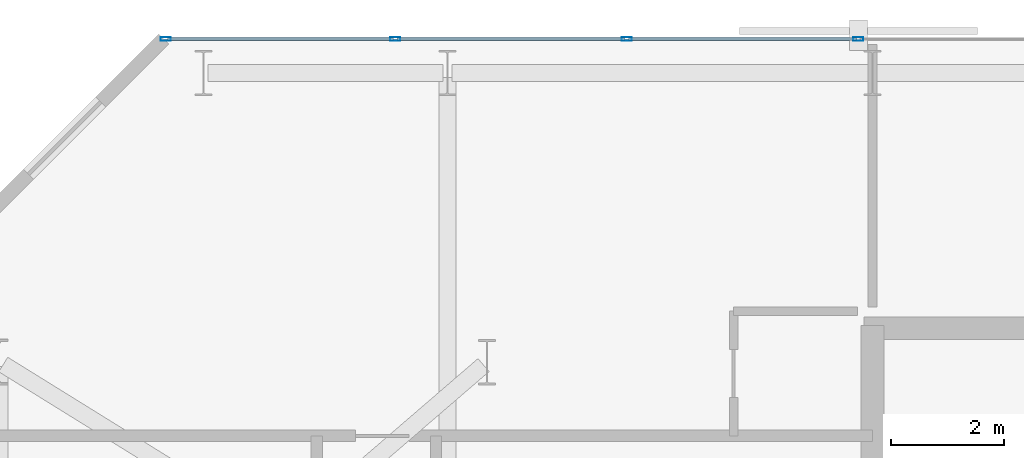
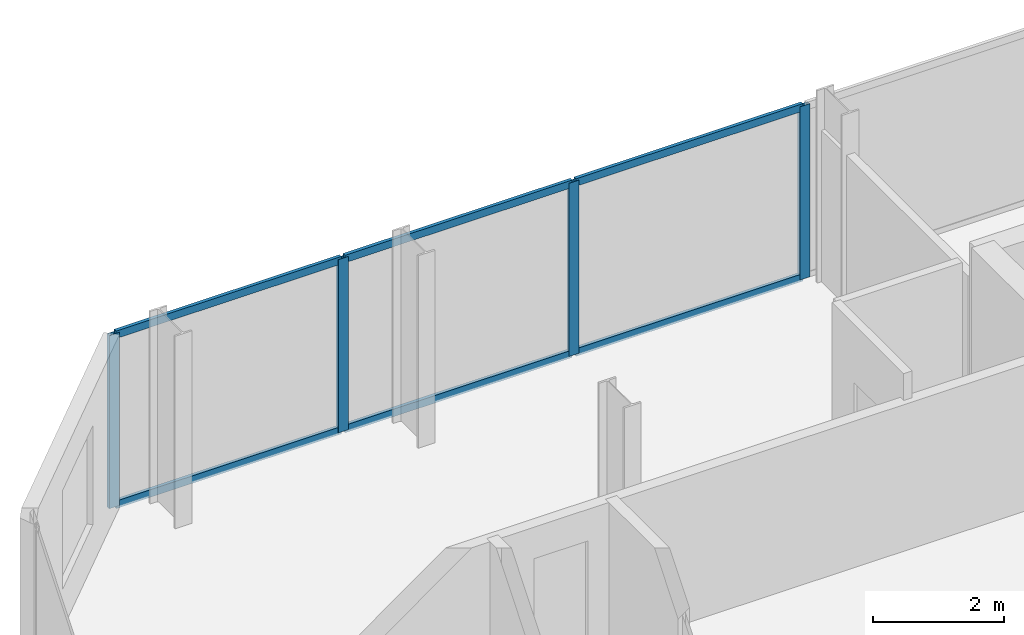
# One storey, part 22 of 33: 10 members, 1 element without a shape of its own.
"""IFC4 building model written with IfcOpenShell, lengths in metres."""

from ifc_helpers import new_model, si_unit, direction, frame, origin, origin_2d, place, context, subcontext, project, spatial, hollow_rectangle, extrude, material, layer, layer_set, material_profile, profile_set, type_object, element, aggregate, save


model = new_model("IFC4")

# Units and contexts
model_context = context("Model", 3, precision=1e-05, world=origin(), true_north=direction((0.0, 1.0)))
body_context = subcontext(model_context, "Body", "Model", "MODEL_VIEW")
ifc_project = project(units=[si_unit("LENGTHUNIT", "METRE"), si_unit("AREAUNIT", "SQUARE_METRE"), si_unit("VOLUMEUNIT", "CUBIC_METRE"), si_unit("PLANEANGLEUNIT", "RADIAN"), si_unit("MASSUNIT", "GRAM", prefix="KILO")], contexts=[model_context])

# Site, building, storey
site_placement = place(None, origin())
site = spatial("IfcSite", under=ifc_project, at=site_placement, CompositionType="ELEMENT")
building_placement = place(site_placement, origin())
building = spatial("IfcBuilding", under=site, at=building_placement, Name="Catumbela Crestline Tower", CompositionType="ELEMENT")
storey_placement = place(building_placement, frame((0.0, 0.0, 76.2)))
storey = spatial("IfcBuildingStorey", under=building, at=storey_placement, Name="L19", CompositionType="ELEMENT", Elevation=76.2)

# Curtain wall, members
ifc_material = material(Name="Aluminium alloy AW-6060-T66", Category="aluminium")
ifc_layer = layer(ifc_material, 0.18, Name="Aluminium alloy AW-6060-T66")
ifc_layer_set = layer_set([ifc_layer], Name="Aluminium alloy AW-6060-T66")
curtain_wall_type = type_object("IfcCurtainWallType", Name="CWU-Z1", PredefinedType="USERDEFINED", material=ifc_layer_set)
curtain_wall_placement = place(storey_placement, origin())
curtain_wall = element("IfcCurtainWall", 1, at=curtain_wall_placement, inside=storey, type_object=curtain_wall_type, Name="L19 Unitised Curtain Wall CW-L19-E7S1", ObjectType="UNITISED", PredefinedType="USERDEFINED")
ifc_material_profile_1 = material_profile(ifc_material, hollow_rectangle(XDim=0.065, YDim=0.18, WallThickness=0.004, at=origin_2d()), Name="ALU 180x65x4")
ifc_profile_set_1 = profile_set([ifc_material_profile_1], Name="Aluminium alloy AW-6060-T66")
member_type_1 = type_object("IfcMemberType", Name="MUL-180X65", PredefinedType="MULLION", material=ifc_profile_set_1)
member_1_placement = place(storey_placement, frame((15.75, 48.0, 0.0), z_axis=(0.0, 0.0, 1.0), x_axis=(0.0, -1.0, 0.0)))
member_1 = element("IfcMember", 2, at=member_1_placement, type_object=member_type_1, Name="CWU-Z1 mullion 10", PredefinedType="MULLION", context=body_context, shape_type="SweptSolid", body=[
    extrude(hollow_rectangle(XDim=0.065, YDim=0.18, WallThickness=0.004, at=origin_2d()), origin(), (0.0, 0.0, 1.0), 3.24),
])
member_2_placement = place(storey_placement, frame((11.6667, 48.0, 0.0), z_axis=(0.0, 0.0, 1.0), x_axis=(0.0, -1.0, 0.0)))
member_2 = element("IfcMember", 3, at=member_2_placement, type_object=member_type_1, Name="CWU-Z1 mullion 11", PredefinedType="MULLION", context=body_context, shape_type="SweptSolid", body=[
    extrude(hollow_rectangle(XDim=0.065, YDim=0.18, WallThickness=0.004, at=origin_2d()), origin(), (0.0, 0.0, 1.0), 3.24),
])
member_3_placement = place(storey_placement, frame((7.5833, 48.0, 0.0), z_axis=(0.0, 0.0, 1.0), x_axis=(0.0, -1.0, 0.0)))
member_3 = element("IfcMember", 4, at=member_3_placement, type_object=member_type_1, Name="CWU-Z1 mullion 12", PredefinedType="MULLION", context=body_context, shape_type="SweptSolid", body=[
    extrude(hollow_rectangle(XDim=0.065, YDim=0.18, WallThickness=0.004, at=origin_2d()), origin(), (0.0, 0.0, 1.0), 3.24),
])
member_4_placement = place(storey_placement, frame((3.5325, 48.0, 0.0), z_axis=(0.0, 0.0, 1.0), x_axis=(0.0, -1.0, 0.0)))
member_4 = element("IfcMember", 5, at=member_4_placement, type_object=member_type_1, Name="CWU-Z1 mullion 13", PredefinedType="MULLION", context=body_context, shape_type="SweptSolid", body=[
    extrude(hollow_rectangle(XDim=0.065, YDim=0.18, WallThickness=0.004, at=origin_2d()), origin(), (0.0, 0.0, 1.0), 3.24),
])
ifc_material_profile_2 = material_profile(ifc_material, hollow_rectangle(XDim=0.06, YDim=0.14, WallThickness=0.004, at=origin_2d()), Name="ALU 140x60x4")
ifc_profile_set_2 = profile_set([ifc_material_profile_2], Name="Aluminium alloy AW-6060-T66")
member_type_2 = type_object("IfcMemberType", Name="TRN-140X60", PredefinedType="USERDEFINED", material=ifc_profile_set_2)
member_5_placement = place(storey_placement, frame((15.7175, 48.0, 0.03), z_axis=(-1.0, 0.0, 0.0), x_axis=(0.0, -1.0, 0.0)))
member_5 = element("IfcMember", 6, at=member_5_placement, type_object=member_type_2, Name="CWU-Z1 transom 10.1", ObjectType="TRANSOM", PredefinedType="USERDEFINED", context=body_context, shape_type="SweptSolid", body=[
    extrude(hollow_rectangle(XDim=0.06, YDim=0.14, WallThickness=0.004, at=origin_2d()), origin(), (0.0, 0.0, 1.0), 4.0183),
])
member_6_placement = place(storey_placement, frame((15.7175, 48.0, 3.21), z_axis=(-1.0, 0.0, 0.0), x_axis=(0.0, -1.0, 0.0)))
member_6 = element("IfcMember", 7, at=member_6_placement, type_object=member_type_2, Name="CWU-Z1 transom 10.2", ObjectType="TRANSOM", PredefinedType="USERDEFINED", context=body_context, shape_type="SweptSolid", body=[
    extrude(hollow_rectangle(XDim=0.06, YDim=0.14, WallThickness=0.004, at=origin_2d()), origin(), (0.0, 0.0, 1.0), 4.0183),
])
member_7_placement = place(storey_placement, frame((11.6342, 48.0, 0.03), z_axis=(-1.0, 0.0, 0.0), x_axis=(0.0, -1.0, 0.0)))
member_7 = element("IfcMember", 8, at=member_7_placement, type_object=member_type_2, Name="CWU-Z1 transom 11.1", ObjectType="TRANSOM", PredefinedType="USERDEFINED", context=body_context, shape_type="SweptSolid", body=[
    extrude(hollow_rectangle(XDim=0.06, YDim=0.14, WallThickness=0.004, at=origin_2d()), origin(), (0.0, 0.0, 1.0), 4.0184),
])
member_8_placement = place(storey_placement, frame((11.6342, 48.0, 3.21), z_axis=(-1.0, 0.0, 0.0), x_axis=(0.0, -1.0, 0.0)))
member_8 = element("IfcMember", 9, at=member_8_placement, type_object=member_type_2, Name="CWU-Z1 transom 11.2", ObjectType="TRANSOM", PredefinedType="USERDEFINED", context=body_context, shape_type="SweptSolid", body=[
    extrude(hollow_rectangle(XDim=0.06, YDim=0.14, WallThickness=0.004, at=origin_2d()), origin(), (0.0, 0.0, 1.0), 4.0184),
])
member_9_placement = place(storey_placement, frame((7.5508, 48.0, 0.03), z_axis=(-1.0, 0.0, 0.0), x_axis=(0.0, -1.0, 0.0)))
member_9 = element("IfcMember", 10, at=member_9_placement, type_object=member_type_2, Name="CWU-Z1 transom 12.1", ObjectType="TRANSOM", PredefinedType="USERDEFINED", context=body_context, shape_type="SweptSolid", body=[
    extrude(hollow_rectangle(XDim=0.06, YDim=0.14, WallThickness=0.004, at=origin_2d()), origin(), (0.0, 0.0, 1.0), 3.9858),
])
member_10_placement = place(storey_placement, frame((7.5508, 48.0, 3.21), z_axis=(-1.0, 0.0, 0.0), x_axis=(0.0, -1.0, 0.0)))
member_10 = element("IfcMember", 11, at=member_10_placement, type_object=member_type_2, Name="CWU-Z1 transom 12.2", ObjectType="TRANSOM", PredefinedType="USERDEFINED", context=body_context, shape_type="SweptSolid", body=[
    extrude(hollow_rectangle(XDim=0.06, YDim=0.14, WallThickness=0.004, at=origin_2d()), origin(), (0.0, 0.0, 1.0), 3.9858),
])
aggregate(curtain_wall, [member_1, member_2, member_3, member_4, member_5, member_6, member_7, member_8, member_9, member_10])

save(model, "model.ifc")
